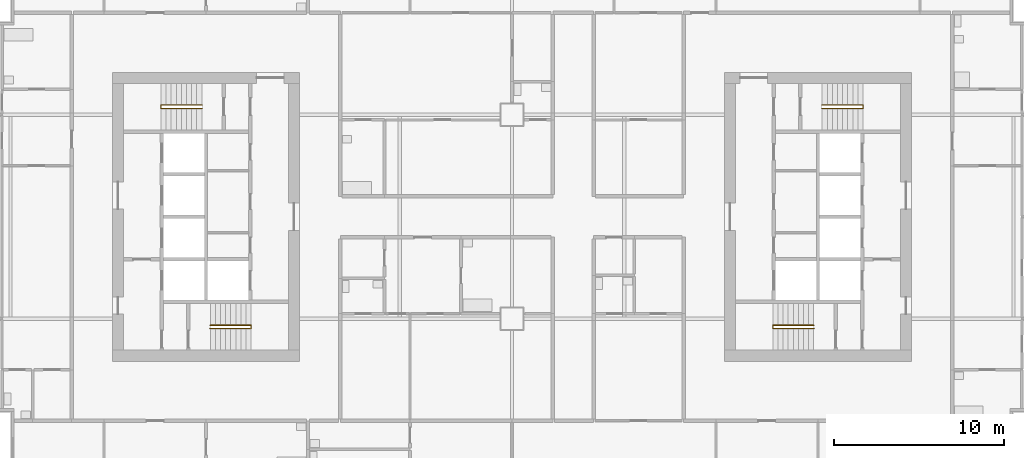
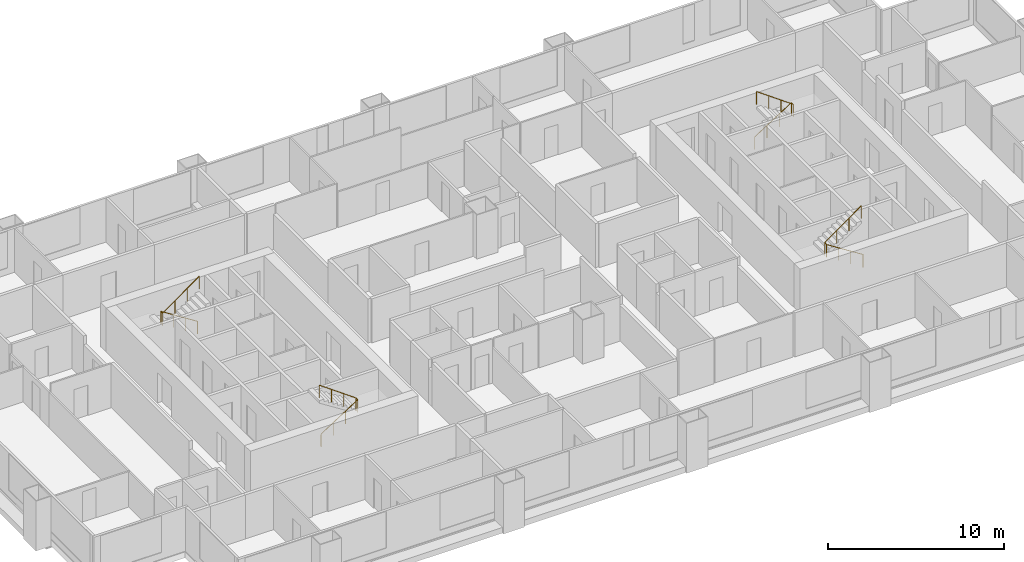
# One storey, part 10 of 11: 4 railings.
"""IFC4 building model written with IfcOpenShell, lengths in metres."""

import ifcopenshell
import ifcopenshell.guid

model = None  # the IFC model being written
_history = None  # IfcOwnerHistory: only IFC2X3 demands one
_inside = {}  # id of a spatial element -> (the spatial element, [elements in it])
_under = {}  # id of a project, library or spatial element -> (it, [spatial elements below it])
_declared = {}  # id of a project -> (the project, [libraries it declares])
_typed = {}  # id of a type object -> (the type object, [elements of that type])
_made_of = {}  # id of a material, layer set ... -> (it, [elements and type objects made of it])


def new_model(schema):
    """Start an empty IFC model of exactly this schema.

    Asked for "IFC4X3", IfcOpenShell would pick the latest addendum, in which some entities
    have other attributes; the version numbers below select the first issue.
    IFC2X3 requires an IfcOwnerHistory on every rooted entity: one is made here for all.
    """
    global model, _history
    if schema == "IFC4X3":
        model = ifcopenshell.file(schema_version=(4, 3, 0, 0))
    else:
        model = ifcopenshell.file(schema=schema)
    _inside.clear()
    _under.clear()
    _declared.clear()
    _typed.clear()
    _made_of.clear()
    _history = None
    if model.schema == "IFC2X3":
        org = make("IfcOrganization", Name="unknown")
        user = make(
            "IfcPersonAndOrganization",
            ThePerson=make("IfcPerson", FamilyName="unknown"),
            TheOrganization=org,
        )
        app = make(
            "IfcApplication",
            ApplicationDeveloper=org,
            Version="unknown",
            ApplicationFullName="unknown",
            ApplicationIdentifier="unknown",
        )
        _history = make(
            "IfcOwnerHistory",
            OwningUser=user,
            OwningApplication=app,
            ChangeAction="ADDED",
            CreationDate=0,
        )
    return model


def make(cls, **values):
    """One entity of the class cls with the attributes given. An attribute that is None is left unset."""
    return model.create_entity(
        cls, **{name: value for name, value in values.items() if value is not None}
    )


def rooted(cls, **values):
    """An entity with a GlobalId (a new one), such as an element, a storey or a relation."""
    return make(cls, GlobalId=ifcopenshell.guid.new(), OwnerHistory=_history, **values)


def si_unit(unit_type, name, prefix=None):
    """IfcSIUnit, for example si_unit("LENGTHUNIT", "METRE", prefix="MILLI")."""
    return make("IfcSIUnit", UnitType=unit_type, Prefix=prefix, Name=name)


def assignment(units):
    """IfcUnitAssignment: the units of a project."""
    return None if units is None else make("IfcUnitAssignment", Units=units)


def point(xyz):
    """IfcCartesianPoint."""
    return None if xyz is None else make("IfcCartesianPoint", Coordinates=xyz)


def direction(xyz):
    """IfcDirection."""
    return None if xyz is None else make("IfcDirection", DirectionRatios=xyz)


def frame(location, z_axis=None, x_axis=None):
    """IfcAxis2Placement3D, a coordinate frame: its origin and axes. An axis left out is left unset."""
    return make(
        "IfcAxis2Placement3D",
        Location=point(location),
        Axis=direction(z_axis),
        RefDirection=direction(x_axis),
    )


def frame_2d(location, x_axis=None):
    """IfcAxis2Placement2D, a coordinate frame in the plane: its origin and x axis."""
    return make(
        "IfcAxis2Placement2D", Location=point(location), RefDirection=direction(x_axis)
    )


def origin():
    """The frame at (0, 0, 0) with its axes left unset."""
    return frame((0.0, 0.0, 0.0))


def origin_2d():
    """The frame at (0, 0) in the plane with its x axis left unset."""
    return frame_2d((0.0, 0.0))


def place(relative_to, where):
    """IfcLocalPlacement: puts the frame where relative to a parent placement (None: the world)."""
    return make(
        "IfcLocalPlacement", PlacementRelTo=relative_to, RelativePlacement=where
    )


def context(
    kind, dimensions, precision=None, world=None, true_north=None, identifier=None
):
    """IfcGeometricRepresentationContext, for example the 3D "Model" context."""
    return make(
        "IfcGeometricRepresentationContext",
        ContextIdentifier=identifier,
        ContextType=kind,
        CoordinateSpaceDimension=dimensions,
        Precision=precision,
        WorldCoordinateSystem=world,
        TrueNorth=true_north,
    )


def subcontext(parent, identifier, kind, view, scale=None):
    """IfcGeometricRepresentationSubContext, for example "Body" below "Model"."""
    return make(
        "IfcGeometricRepresentationSubContext",
        ContextIdentifier=identifier,
        ContextType=kind,
        ParentContext=parent,
        TargetScale=scale,
        TargetView=view,
    )


def project(units=None, contexts=None):
    """IfcProject with its units and contexts."""
    return rooted(
        "IfcProject",
        Name="project",
        RepresentationContexts=contexts,
        UnitsInContext=assignment(units),
    )


def spatial(cls, under=None, at=None, **own):
    """A site, building, storey or space (cls), placed at a placement, below another one or the project."""
    s = rooted(cls, ObjectPlacement=at, **own)
    if under is not None:
        _under.setdefault(under.id(), (under, []))[1].append(s)
    return s


def profile(cls, at=None, kind="AREA", **sizes):
    """A parametric profile (cls). Its sizes go by their IFC names, for example OverallWidth=200.0."""
    return make(cls, ProfileType=kind, Position=at, **sizes)


def circle(**sizes):
    """IfcCircleProfileDef."""
    return profile("IfcCircleProfileDef", **sizes)


def extrude(swept, where, along, depth):
    """IfcExtrudedAreaSolid: the profile swept, set in the frame where, extruded along a direction by depth."""
    return make(
        "IfcExtrudedAreaSolid",
        SweptArea=swept,
        Position=where,
        ExtrudedDirection=direction(along),
        Depth=depth,
    )


def shape(context_of_items, identifier, shape_type, items):
    """IfcShapeRepresentation: the items that make up one representation, for example the "Body"."""
    return make(
        "IfcShapeRepresentation",
        ContextOfItems=context_of_items,
        RepresentationIdentifier=identifier,
        RepresentationType=shape_type,
        Items=items,
    )


def material(Name=None, Category=None):
    """IfcMaterial."""
    return make("IfcMaterial", Name=Name, Category=Category)


def made_of(thing, what):
    """Note that an element or type object is made of a material, layer set ...; save() writes the relation."""
    if what is not None:
        _made_of.setdefault(what.id(), (what, []))[1].append(thing)
    return thing


def type_object(cls, material=None, **own):
    """A type object (cls), such as IfcWallType, which elements share."""
    return made_of(rooted(cls, **own), material)


def element(
    cls,
    number,
    at=None,
    inside=None,
    cuts=None,
    type_object=None,
    material=None,
    context=None,
    identifier="Body",
    shape_type=None,
    held_by="IfcProductDefinitionShape",
    body=None,
    shapes=None,
    **own,
):
    """One element of the class cls, such as IfcWall. Its Tag is "e" and its number.

    at: its placement. inside: the storey or other place that contains it. cuts: it is an
    opening in that element (IfcRelVoidsElement). A single representation is given by context,
    identifier, shape_type and body (its items); several are given by shapes. held_by: the class
    of the entity that holds the representations. save() writes the other relations.
    """
    e = rooted(cls, Tag="e%d" % number, ObjectPlacement=at, **own)
    if body is not None:
        shapes = [shape(context, identifier, shape_type, body)]
    if shapes is not None:
        e.Representation = make(held_by, Representations=shapes)
    if inside is not None:
        _inside.setdefault(inside.id(), (inside, []))[1].append(e)
    if cuts is not None:
        rooted(
            "IfcRelVoidsElement", RelatingBuildingElement=cuts, RelatedOpeningElement=e
        )
    if type_object is not None:
        _typed.setdefault(type_object.id(), (type_object, []))[1].append(e)
    return made_of(e, material)


def aggregate(whole, parts):
    """IfcRelAggregates: a whole, such as a stair, and the parts it consists of."""
    return rooted("IfcRelAggregates", RelatingObject=whole, RelatedObjects=parts)


def save(model, path):
    """Write the relations noted so far, then the file.

    IfcRelAggregates (storeys below a building ...), IfcRelContainedInSpatialStructure (elements
    in a storey), IfcRelDefinesByType, IfcRelAssociatesMaterial and IfcRelDeclares: one each for
    every whole, place, type object, material and project.
    """
    for whole, parts in _under.values():
        aggregate(whole, parts)
    for where, things in _inside.values():
        rooted(
            "IfcRelContainedInSpatialStructure",
            RelatedElements=things,
            RelatingStructure=where,
        )
    for kind, things in _typed.values():
        rooted("IfcRelDefinesByType", RelatedObjects=things, RelatingType=kind)
    for what, things in _made_of.values():
        rooted("IfcRelAssociatesMaterial", RelatedObjects=things, RelatingMaterial=what)
    for by, libraries in _declared.values():
        rooted("IfcRelDeclares", RelatingContext=by, RelatedDefinitions=libraries)
    model.write(path)


model = new_model("IFC4")

# Units and contexts
model_context = context("Model", 3, precision=1e-05, world=origin(), true_north=direction((0.0, 1.0)))
body_context = subcontext(model_context, "Body", "Model", "MODEL_VIEW")
ifc_project = project(units=[si_unit("LENGTHUNIT", "METRE"), si_unit("AREAUNIT", "SQUARE_METRE"), si_unit("VOLUMEUNIT", "CUBIC_METRE"), si_unit("PLANEANGLEUNIT", "RADIAN"), si_unit("MASSUNIT", "GRAM", prefix="KILO")], contexts=[model_context])

# Site, building, storey
site_placement = place(None, origin())
site = spatial("IfcSite", under=ifc_project, at=site_placement, CompositionType="ELEMENT")
building_placement = place(site_placement, origin())
building = spatial("IfcBuilding", under=site, at=building_placement, Name="Kitamizu Gate Tower and Museum", CompositionType="ELEMENT")
storey_placement = place(building_placement, frame((0.0, 0.0, 141.449951171875)))
storey = spatial("IfcBuildingStorey", under=building, at=storey_placement, Name="L37", CompositionType="ELEMENT", Elevation=141.449951171875)

# Railings
ifc_material = material(Name="Stainless steel SUS304", Category="steel")
railing_type = type_object("IfcRailingType", Name="Stair handrail 900", PredefinedType="HANDRAIL", material=ifc_material)
railing_1_placement = place(storey_placement, frame((18.25, 23.425048828125, 0.191650390625)))
element("IfcRailing", 1, at=railing_1_placement, inside=storey, type_object=railing_type, Name="Stair handrail ST1", PredefinedType="HANDRAIL", context=body_context, shape_type="SweptSolid", body=[
    extrude(circle(Radius=0.02392578125, at=origin_2d()), frame((0.0, 0.0, 0.8759765625), z_axis=(0.842668169335, 0.0, 0.538433242278), x_axis=(0.0, 1.0, 0.0)), (0.0, 0.0, 1.0), 2.847900390625),
    extrude(circle(Radius=0.02392578125, at=origin_2d()), frame((2.39990234375, 0.0, 2.4091796875), z_axis=(0.0, 1.0, 0.0), x_axis=(-1.0, 0.0, 0.0)), (0.0, 0.0, 1.0), 0.199951171875),
    extrude(circle(Radius=0.02392578125, at=origin_2d()), frame((2.39990234375, 0.199951171875, 2.4091796875), z_axis=(-0.81202760531, 0.0, 0.583619026604), x_axis=(0.0, -1.0, 0.0)), (0.0, 0.0, 1.0), 2.955322265625),
    extrude(circle(Radius=0.02099609375, at=origin_2d()), origin(), (0.0, 0.0, 1.0), 0.851806640625),
    extrude(circle(Radius=0.02099609375, at=origin_2d()), frame((0.800048828125, 0.0, 0.51123046875)), (0.0, 0.0, 1.0), 0.851806640625),
    extrude(circle(Radius=0.02099609375, at=origin_2d()), frame((1.599853515625, 0.0, 1.022216796875)), (0.0, 0.0, 1.0), 0.851806640625),
    extrude(circle(Radius=0.02099609375, at=origin_2d()), frame((2.39990234375, 0.0, 1.533447265625)), (0.0, 0.0, 1.0), 0.851806640625),
    extrude(circle(Radius=0.02099609375, at=origin_2d()), frame((2.39990234375, 0.199951171875, 1.533447265625)), (0.0, 0.0, 1.0), 0.851806640625),
    extrude(circle(Radius=0.02099609375, at=origin_2d()), frame((1.599853515625, 0.199951171875, 2.1083984375)), (0.0, 0.0, 1.0), 0.851806640625),
    extrude(circle(Radius=0.02099609375, at=origin_2d()), frame((0.800048828125, 0.199951171875, 2.683349609375)), (0.0, 0.0, 1.0), 0.851806640625),
    extrude(circle(Radius=0.02099609375, at=origin_2d()), frame((0.0, 0.199951171875, 3.25830078125)), (0.0, 0.0, 1.0), 0.851806640625),
])
railing_2_placement = place(storey_placement, frame((17.75, 36.574951171875, 0.191650390625)))
element("IfcRailing", 2, at=railing_2_placement, inside=storey, type_object=railing_type, Name="Stair handrail ST2", PredefinedType="HANDRAIL", context=body_context, shape_type="SweptSolid", body=[
    extrude(circle(Radius=0.02392578125, at=origin_2d()), frame((0.0, 0.0, 0.8759765625), z_axis=(-0.842668169335, 0.0, 0.538433242278), x_axis=(0.0, -1.0, 0.0)), (0.0, 0.0, 1.0), 2.847900390625),
    extrude(circle(Radius=0.02392578125, at=origin_2d()), frame((-2.39990234375, 0.0, 2.4091796875), z_axis=(0.0, -1.0, 0.0), x_axis=(1.0, 0.0, 0.0)), (0.0, 0.0, 1.0), 0.199951171875),
    extrude(circle(Radius=0.02392578125, at=origin_2d()), frame((-2.39990234375, -0.199951171875, 2.4091796875), z_axis=(0.81202760531, 0.0, 0.583619026604), x_axis=(0.0, 1.0, 0.0)), (0.0, 0.0, 1.0), 2.955322265625),
    extrude(circle(Radius=0.02099609375, at=origin_2d()), origin(), (0.0, 0.0, 1.0), 0.851806640625),
    extrude(circle(Radius=0.02099609375, at=origin_2d()), frame((-0.800048828125, 0.0, 0.51123046875)), (0.0, 0.0, 1.0), 0.851806640625),
    extrude(circle(Radius=0.02099609375, at=origin_2d()), frame((-1.599853515625, 0.0, 1.022216796875)), (0.0, 0.0, 1.0), 0.851806640625),
    extrude(circle(Radius=0.02099609375, at=origin_2d()), frame((-2.39990234375, 0.0, 1.533447265625)), (0.0, 0.0, 1.0), 0.851806640625),
    extrude(circle(Radius=0.02099609375, at=origin_2d()), frame((-2.39990234375, -0.199951171875, 1.533447265625)), (0.0, 0.0, 1.0), 0.851806640625),
    extrude(circle(Radius=0.02099609375, at=origin_2d()), frame((-1.599853515625, -0.199951171875, 2.1083984375)), (0.0, 0.0, 1.0), 0.851806640625),
    extrude(circle(Radius=0.02099609375, at=origin_2d()), frame((-0.800048828125, -0.199951171875, 2.683349609375)), (0.0, 0.0, 1.0), 0.851806640625),
    extrude(circle(Radius=0.02099609375, at=origin_2d()), frame((0.0, -0.199951171875, 3.25830078125)), (0.0, 0.0, 1.0), 0.851806640625),
])
railing_3_placement = place(storey_placement, frame((53.75, 23.425048828125, 0.191650390625)))
element("IfcRailing", 3, at=railing_3_placement, inside=storey, type_object=railing_type, Name="Stair handrail ST3", PredefinedType="HANDRAIL", context=body_context, shape_type="SweptSolid", body=[
    extrude(circle(Radius=0.02392578125, at=origin_2d()), frame((0.0, 0.0, 0.8759765625), z_axis=(-0.842668169335, 0.0, 0.538433242278), x_axis=(0.0, -1.0, 0.0)), (0.0, 0.0, 1.0), 2.847900390625),
    extrude(circle(Radius=0.02392578125, at=origin_2d()), frame((-2.39990234375, 0.0, 2.4091796875), z_axis=(0.0, 1.0, 0.0), x_axis=(-1.0, 0.0, 0.0)), (0.0, 0.0, 1.0), 0.199951171875),
    extrude(circle(Radius=0.02392578125, at=origin_2d()), frame((-2.39990234375, 0.199951171875, 2.4091796875), z_axis=(0.81202760531, 0.0, 0.583619026604), x_axis=(0.0, 1.0, 0.0)), (0.0, 0.0, 1.0), 2.955322265625),
    extrude(circle(Radius=0.02099609375, at=origin_2d()), origin(), (0.0, 0.0, 1.0), 0.851806640625),
    extrude(circle(Radius=0.02099609375, at=origin_2d()), frame((-0.800048828125, 0.0, 0.51123046875)), (0.0, 0.0, 1.0), 0.851806640625),
    extrude(circle(Radius=0.02099609375, at=origin_2d()), frame((-1.599853515625, 0.0, 1.022216796875)), (0.0, 0.0, 1.0), 0.851806640625),
    extrude(circle(Radius=0.02099609375, at=origin_2d()), frame((-2.39990234375, 0.0, 1.533447265625)), (0.0, 0.0, 1.0), 0.851806640625),
    extrude(circle(Radius=0.02099609375, at=origin_2d()), frame((-2.39990234375, 0.199951171875, 1.533447265625)), (0.0, 0.0, 1.0), 0.851806640625),
    extrude(circle(Radius=0.02099609375, at=origin_2d()), frame((-1.599853515625, 0.199951171875, 2.1083984375)), (0.0, 0.0, 1.0), 0.851806640625),
    extrude(circle(Radius=0.02099609375, at=origin_2d()), frame((-0.800048828125, 0.199951171875, 2.683349609375)), (0.0, 0.0, 1.0), 0.851806640625),
    extrude(circle(Radius=0.02099609375, at=origin_2d()), frame((0.0, 0.199951171875, 3.25830078125)), (0.0, 0.0, 1.0), 0.851806640625),
])
railing_4_placement = place(storey_placement, frame((54.25, 36.574951171875, 0.191650390625)))
element("IfcRailing", 4, at=railing_4_placement, inside=storey, type_object=railing_type, Name="Stair handrail ST4", PredefinedType="HANDRAIL", context=body_context, shape_type="SweptSolid", body=[
    extrude(circle(Radius=0.02392578125, at=origin_2d()), frame((0.0, 0.0, 0.8759765625), z_axis=(0.842668169335, 0.0, 0.538433242278), x_axis=(0.0, 1.0, 0.0)), (0.0, 0.0, 1.0), 2.847900390625),
    extrude(circle(Radius=0.02392578125, at=origin_2d()), frame((2.39990234375, 0.0, 2.4091796875), z_axis=(0.0, -1.0, 0.0), x_axis=(1.0, 0.0, 0.0)), (0.0, 0.0, 1.0), 0.199951171875),
    extrude(circle(Radius=0.02392578125, at=origin_2d()), frame((2.39990234375, -0.199951171875, 2.4091796875), z_axis=(-0.81202760531, 0.0, 0.583619026604), x_axis=(0.0, -1.0, 0.0)), (0.0, 0.0, 1.0), 2.955322265625),
    extrude(circle(Radius=0.02099609375, at=origin_2d()), origin(), (0.0, 0.0, 1.0), 0.851806640625),
    extrude(circle(Radius=0.02099609375, at=origin_2d()), frame((0.800048828125, 0.0, 0.51123046875)), (0.0, 0.0, 1.0), 0.851806640625),
    extrude(circle(Radius=0.02099609375, at=origin_2d()), frame((1.599853515625, 0.0, 1.022216796875)), (0.0, 0.0, 1.0), 0.851806640625),
    extrude(circle(Radius=0.02099609375, at=origin_2d()), frame((2.39990234375, 0.0, 1.533447265625)), (0.0, 0.0, 1.0), 0.851806640625),
    extrude(circle(Radius=0.02099609375, at=origin_2d()), frame((2.39990234375, -0.199951171875, 1.533447265625)), (0.0, 0.0, 1.0), 0.851806640625),
    extrude(circle(Radius=0.02099609375, at=origin_2d()), frame((1.599853515625, -0.199951171875, 2.1083984375)), (0.0, 0.0, 1.0), 0.851806640625),
    extrude(circle(Radius=0.02099609375, at=origin_2d()), frame((0.800048828125, -0.199951171875, 2.683349609375)), (0.0, 0.0, 1.0), 0.851806640625),
    extrude(circle(Radius=0.02099609375, at=origin_2d()), frame((0.0, -0.199951171875, 3.25830078125)), (0.0, 0.0, 1.0), 0.851806640625),
])

save(model, "model.ifc")
